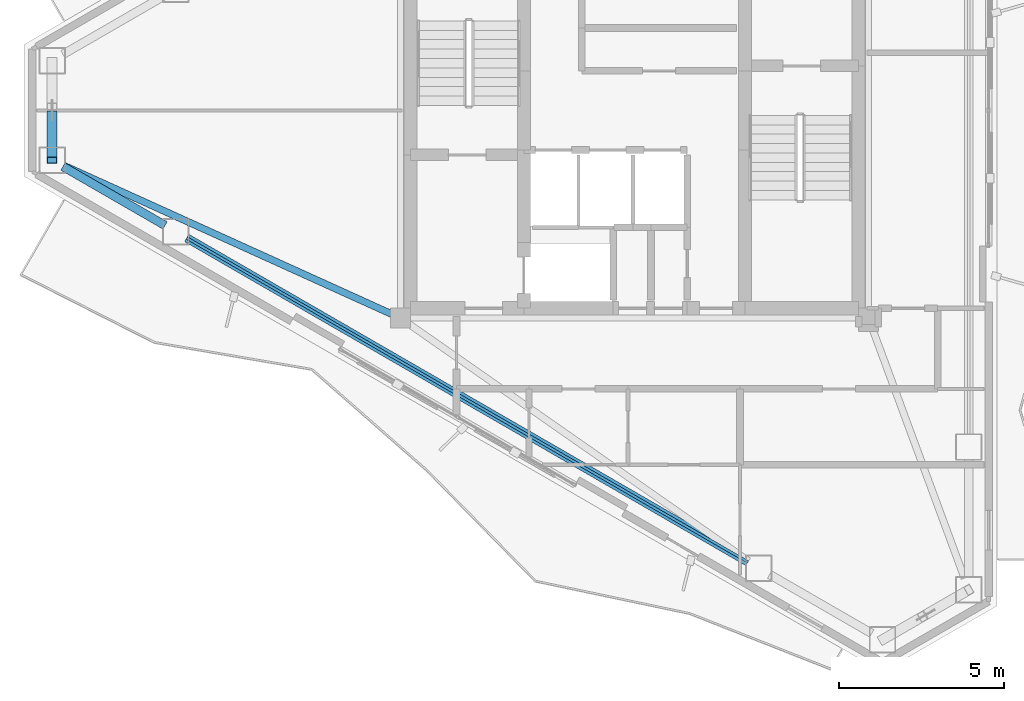
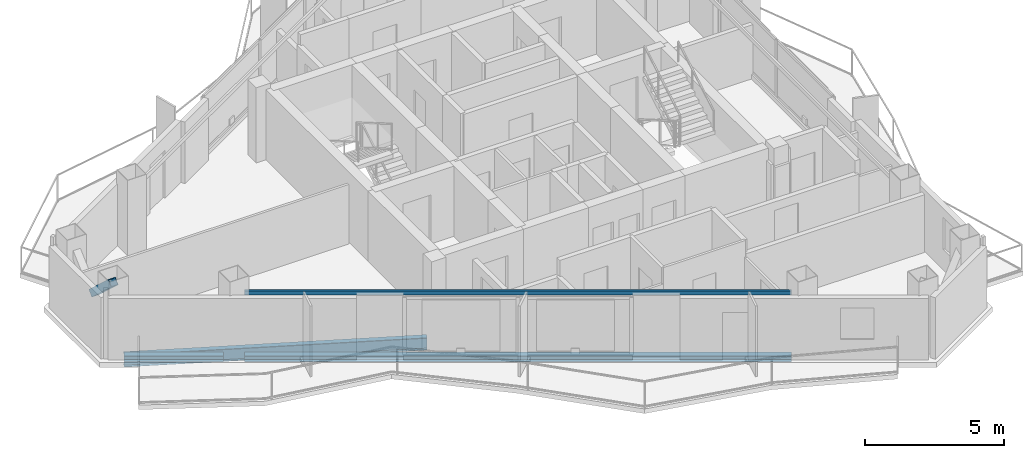
# One storey, part 3 of 18: 4 beams, 1 member.
"""IFC4 building model written with IfcOpenShell, lengths in metres."""

from ifc_helpers import new_model, si_unit, direction, frame, origin, origin_2d, place, context, subcontext, project, spatial, hollow_rectangle, i_section, extrude, material, material_profile, profile_set, type_object, element, save


model = new_model("IFC4")

# Units and contexts
model_context = context("Model", 3, precision=1e-05, world=origin(), true_north=direction((0.0, 1.0)))
body_context = subcontext(model_context, "Body", "Model", "MODEL_VIEW")
ifc_project = project(units=[si_unit("LENGTHUNIT", "METRE"), si_unit("AREAUNIT", "SQUARE_METRE"), si_unit("VOLUMEUNIT", "CUBIC_METRE"), si_unit("PLANEANGLEUNIT", "RADIAN"), si_unit("MASSUNIT", "GRAM", prefix="KILO")], contexts=[model_context])

# Site, building, storey
site_placement = place(None, origin())
site = spatial("IfcSite", under=ifc_project, at=site_placement, CompositionType="ELEMENT")
building_placement = place(site_placement, origin())
building = spatial("IfcBuilding", under=site, at=building_placement, Name="Mersakhor Tower and Convention Hall", CompositionType="ELEMENT")
storey_placement = place(building_placement, frame((0.0, 0.0, 229.800048828125)))
storey = spatial("IfcBuildingStorey", under=building, at=storey_placement, Name="L64", CompositionType="ELEMENT", Elevation=229.800048828125)

# Beams
ifc_material_1 = material(Name="Steel S355", Category="steel")
ifc_material_profile_1 = material_profile(ifc_material_1, i_section(OverallWidth=0.2099609375, OverallDepth=0.53662109375, WebThickness=0.0107421875, FlangeThickness=0.017333984375, at=origin_2d()), Name="UB 533x210x101")
ifc_profile_set_1 = profile_set([ifc_material_profile_1], Name="Steel S355")
beam_type_1 = type_object("IfcBeamType", Name="BM-FB-533", PredefinedType="BEAM", material=ifc_profile_set_1)
beam_1_placement = place(storey_placement, frame((21.64501953125, 20.565673828125, -0.48828125), z_axis=(-0.910860191929, 0.412715047895, 0.0), x_axis=(-0.412715047895, -0.910860191929, 0.0)))
element("IfcBeam", 1, at=beam_1_placement, inside=storey, type_object=beam_type_1, Name="L64 Primary Floor Girder FG-6", PredefinedType="BEAM", context=body_context, shape_type="SweptSolid", body=[
    extrude(i_section(OverallWidth=0.2099609375, OverallDepth=0.53662109375, WebThickness=0.0107421875, FlangeThickness=0.017333984375, at=origin_2d()), origin(), (0.0, 0.0, 1.0), 10.9423828125),
])
ifc_material_2 = material(Name="Steel S355", Category="steel")
ifc_material_profile_2 = material_profile(ifc_material_2, hollow_rectangle(XDim=0.080078125, YDim=0.179931640625, WallThickness=0.008056640625, at=origin_2d()), Name="RHS 180x80x8")
ifc_profile_set_2 = profile_set([ifc_material_profile_2], Name="Steel S355")
beam_type_2 = type_object("IfcBeamType", Name="BM-GRT-RHS180", PredefinedType="USERDEFINED", material=ifc_profile_set_2)
beam_2_placement = place(storey_placement, frame((32.4423828125, 13.050537109375, 2.47998046875), z_axis=(-0.866021610626, 0.500006569886, 0.0), x_axis=(-0.500006569886, -0.866021610626, 0.0)))
element("IfcBeam", 2, at=beam_2_placement, inside=storey, type_object=beam_type_2, Name="L64 Facade Support Girt GRT-F3", ObjectType="GIRT", PredefinedType="USERDEFINED", context=body_context, shape_type="SweptSolid", body=[
    extrude(hollow_rectangle(XDim=0.080078125, YDim=0.179931640625, WallThickness=0.008056640625, at=origin_2d()), origin(), (0.0, 0.0, 1.0), 19.661865234375),
])
ifc_material_3 = material(Name="Steel S355", Category="steel")
ifc_material_profile_3 = material_profile(ifc_material_3, i_section(OverallWidth=0.25634765625, OverallDepth=0.26025390625, WebThickness=0.01025390625, FlangeThickness=0.017333984375, at=origin_2d()), Name="UC 254x254x89")
ifc_profile_set_3 = profile_set([ifc_material_profile_3], Name="Steel S355")
beam_type_3 = type_object("IfcBeamType", Name="BM-SPD-UC254", PredefinedType="SPANDREL", material=ifc_profile_set_3)
beam_3_placement = place(storey_placement, frame((32.4423828125, 13.050537109375, -0.35009765625), z_axis=(-0.866021610626, 0.500006569886, 0.0), x_axis=(-0.500006569886, -0.866021610626, 0.0)))
element("IfcBeam", 3, at=beam_3_placement, inside=storey, type_object=beam_type_3, Name="L64 Perimeter Spandrel Beam SPB-10", PredefinedType="SPANDREL", context=body_context, shape_type="SweptSolid", body=[
    extrude(i_section(OverallWidth=0.25634765625, OverallDepth=0.26025390625, WebThickness=0.01025390625, FlangeThickness=0.017333984375, at=origin_2d()), origin(), (0.0, 0.0, 1.0), 19.661865234375),
])
beam_4_placement = place(storey_placement, frame((14.756591796875, 23.261474609375, -0.35009765625), z_axis=(-0.866032030752, 0.499988521579, 0.0), x_axis=(-0.499988521579, -0.866032030752, 0.0)))
element("IfcBeam", 4, at=beam_4_placement, inside=storey, type_object=beam_type_3, Name="L64 Perimeter Spandrel Beam SPB-11", PredefinedType="SPANDREL", context=body_context, shape_type="SweptSolid", body=[
    extrude(i_section(OverallWidth=0.25634765625, OverallDepth=0.26025390625, WebThickness=0.01025390625, FlangeThickness=0.017333984375, at=origin_2d()), origin(), (0.0, 0.0, 1.0), 3.57421875),
])

# Member
ifc_material_4 = material(Name="Steel S355", Category="steel")
ifc_material_profile_4 = material_profile(ifc_material_4, hollow_rectangle(XDim=0.300048828125, YDim=0.300048828125, WallThickness=0.01611328125, at=origin_2d()), Name="SHS 300x300x16")
ifc_profile_set_4 = profile_set([ifc_material_profile_4], Name="Steel S355")
member_type = type_object("IfcMemberType", Name="MB-BRC-SHS300", PredefinedType="BRACE", material=ifc_profile_set_4)
member_placement = place(storey_placement, frame((11.33203125, 26.63330078125, 1.647216796875), z_axis=(0.0, -0.735997778537, 0.676983951057), x_axis=(1.0, 0.0, 0.0)))
element("IfcMember", 5, at=member_placement, inside=storey, type_object=member_type, Name="L64 Chamfer Braced Frame Diagonal CB-3B Upper Half", PredefinedType="BRACE", context=body_context, shape_type="SweptSolid", body=[
    extrude(hollow_rectangle(XDim=0.300048828125, YDim=0.300048828125, WallThickness=0.01611328125, at=origin_2d()), origin(), (0.0, 0.0, 1.0), 1.894775390625),
])

save(model, "model.ifc")
